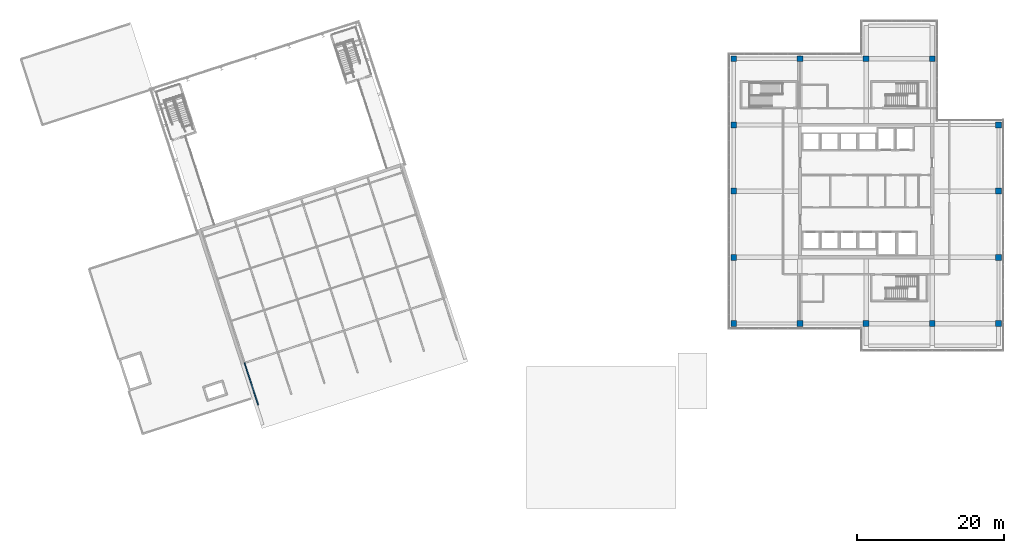
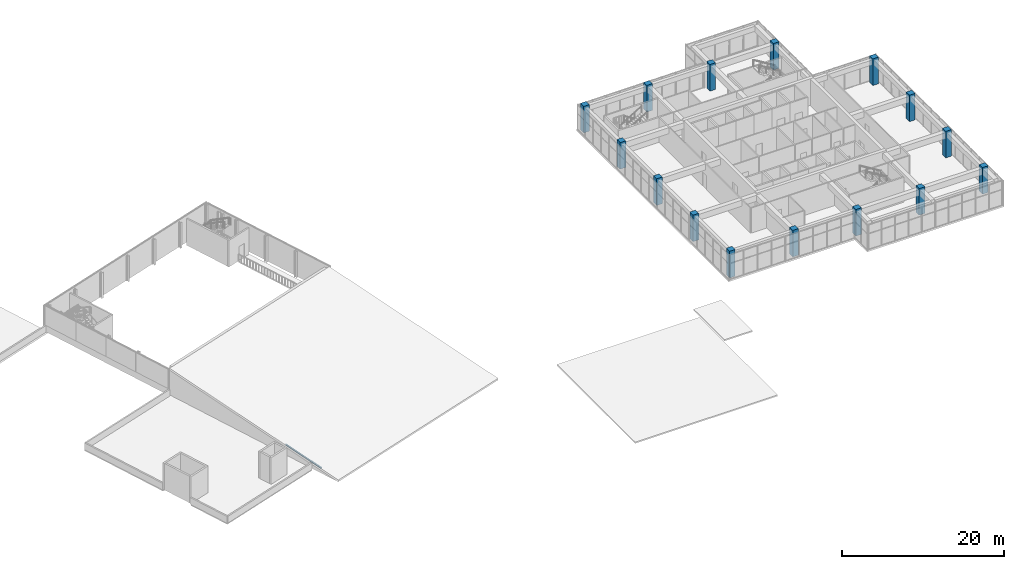
# One storey, part 2 of 55: 15 columns, 1 member.
"""IFC4 building model written with IfcOpenShell, lengths in metres."""

from ifc_helpers import new_model, si_unit, direction, frame, origin, origin_2d, place, context, subcontext, project, spatial, rectangle, i_section, extrude, material, material_profile, profile_set, type_object, element, save


model = new_model("IFC4")

# Units and contexts
model_context = context("Model", 3, precision=1e-05, world=origin(), true_north=direction((0.0, 1.0)))
body_context = subcontext(model_context, "Body", "Model", "MODEL_VIEW")
ifc_project = project(units=[si_unit("LENGTHUNIT", "METRE"), si_unit("AREAUNIT", "SQUARE_METRE"), si_unit("VOLUMEUNIT", "CUBIC_METRE"), si_unit("PLANEANGLEUNIT", "RADIAN"), si_unit("MASSUNIT", "GRAM", prefix="KILO")], contexts=[model_context])

# Site, building, storey
site_placement = place(None, origin())
site = spatial("IfcSite", under=ifc_project, at=site_placement, CompositionType="ELEMENT")
building_placement = place(site_placement, origin())
building = spatial("IfcBuilding", under=site, at=building_placement, Name="Tuart Plaza Theatre", CompositionType="ELEMENT")
storey_placement = place(building_placement, frame((0.0, 0.0, 21.5)))
storey = spatial("IfcBuildingStorey", under=building, at=storey_placement, Name="L05", CompositionType="ELEMENT", Elevation=21.5)

# Columns
ifc_material_1 = material(Name="Concrete N50 (50 MPa)", Category="concrete")
ifc_material_profile_1 = material_profile(ifc_material_1, rectangle(XDim=0.800048828125, YDim=0.800048828125, at=origin_2d()), Name="COLUMN 800x800 Concrete N50 (50 MPa)")
ifc_profile_set_1 = profile_set([ifc_material_profile_1], Name="Concrete N50 (50 MPa)")
column_type = type_object("IfcColumnType", Name="COLUMN 800x800 Concrete N50 (50 MPa)", PredefinedType="COLUMN", material=ifc_profile_set_1)
for number, where, z_axis, x_axis, name in (
    (1, (114.0, 56.0, 0.0), (0.0, 0.0, 1.0), (1.0, 0.0, 0.0), "C50"),
    (2, (114.0, 65.0, 0.0), (0.0, 0.0, 1.0), (1.0, 0.0, 0.0), "C51"),
    (3, (114.0, 74.0, 0.0), (0.0, 0.0, 1.0), (1.0, 0.0, 0.0), "C52"),
    (4, (114.0, 83.0, 0.0), (0.0, 0.0, 1.0), (1.0, 0.0, 0.0), "C53"),
    (5, (114.0, 92.0, 0.0), (0.0, 0.0, 1.0), (1.0, 0.0, 0.0), "C54"),
    (6, (123.0, 56.0, 0.0), (0.0, 0.0, 1.0), (1.0, 0.0, 0.0), "C55"),
    (7, (123.0, 92.0, 0.0), (0.0, 0.0, 1.0), (1.0, 0.0, 0.0), "C56"),
    (8, (132.0, 56.0, 0.0), (0.0, 0.0, 1.0), (1.0, 0.0, 0.0), "C57"),
    (9, (132.0, 92.0, 0.0), (0.0, 0.0, 1.0), (1.0, 0.0, 0.0), "C58"),
    (10, (141.0, 56.0, 0.0), (0.0, 0.0, 1.0), (1.0, 0.0, 0.0), "C59"),
    (11, (141.0, 92.0, 0.0), (0.0, 0.0, 1.0), (1.0, 0.0, 0.0), "C60"),
    (12, (150.0, 56.0, 0.0), (0.0, 0.0, 1.0), (1.0, 0.0, 0.0), "C61"),
    (13, (150.0, 65.0, 0.0), (0.0, 0.0, 1.0), (1.0, 0.0, 0.0), "C62"),
    (14, (150.0, 74.0, 0.0), (0.0, 0.0, 1.0), (1.0, 0.0, 0.0), "C63"),
    (15, (150.0, 83.0, 0.0), (0.0, 0.0, 1.0), (1.0, 0.0, 0.0), "C64"),
):
    element("IfcColumn", number, at=place(storey_placement, frame(where, z_axis=z_axis, x_axis=x_axis)), inside=storey, type_object=column_type, Name=name, PredefinedType="COLUMN", context=body_context, shape_type="SweptSolid", body=[
        extrude(rectangle(XDim=0.800048828125, YDim=0.800048828125, at=origin_2d()), origin(), (0.0, 0.0, 1.0), 4.0),
    ])

# Member
ifc_material_2 = material(Name="Steel Grade 300", Category="steel")
ifc_material_profile_2 = material_profile(ifc_material_2, i_section(OverallWidth=0.133056640625, OverallDepth=0.202880859375, WebThickness=0.005859375, FlangeThickness=0.0078125, FilletRadius=0.0087890625, at=origin_2d()), Name="200UB25.4")
ifc_profile_set_2 = profile_set([ifc_material_profile_2], Name="Steel Grade 300")
member_type = type_object("IfcMemberType", Name="MEMBER Purlin 200UB25.4", PredefinedType="PURLIN", material=ifc_profile_set_2)
member_placement = place(storey_placement, frame((49.33447265625, 44.938232421875, 0.322998046875), z_axis=(-0.306346807821, 0.942881740744, 0.130865030889), x_axis=(-0.95106067854, -0.309004184009, 0.0)))
element("IfcMember", 16, at=member_placement, inside=storey, type_object=member_type, Name="PU2", PredefinedType="PURLIN", context=body_context, shape_type="SweptSolid", body=[
    extrude(i_section(OverallWidth=0.133056640625, OverallDepth=0.202880859375, WebThickness=0.005859375, FlangeThickness=0.0078125, FilletRadius=0.0087890625, at=origin_2d()), origin(), (0.0, 0.0, 1.0), 6.052001953125),
])

save(model, "model.ifc")
